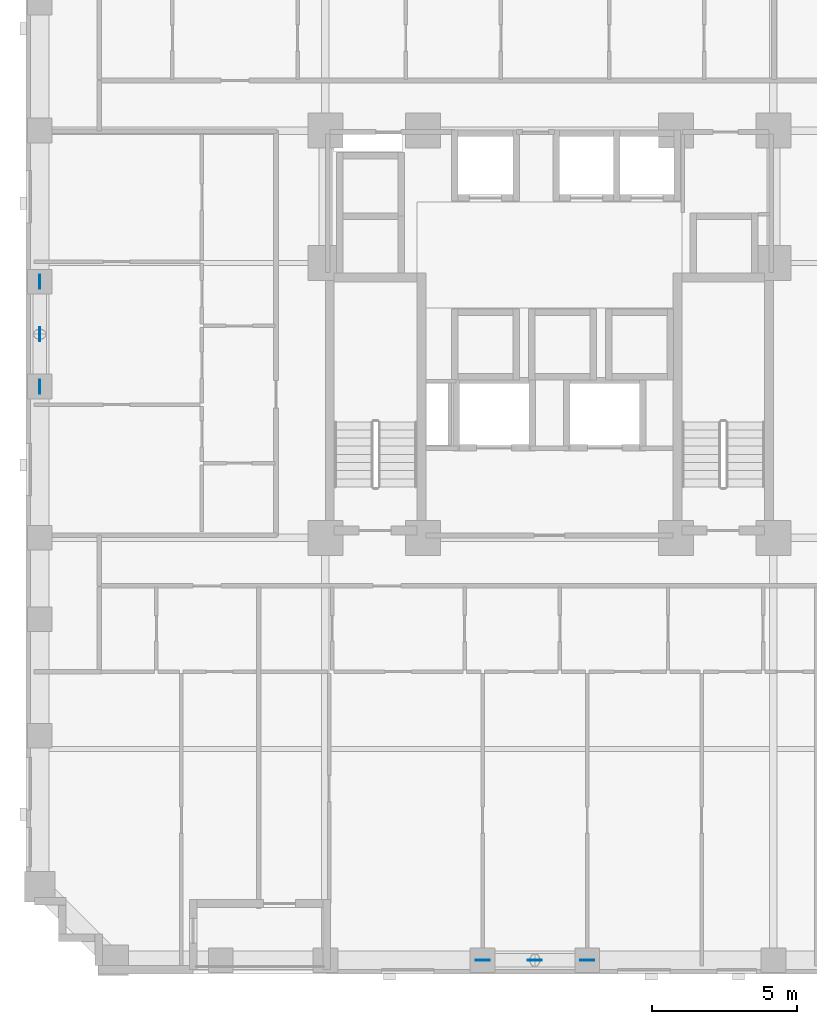
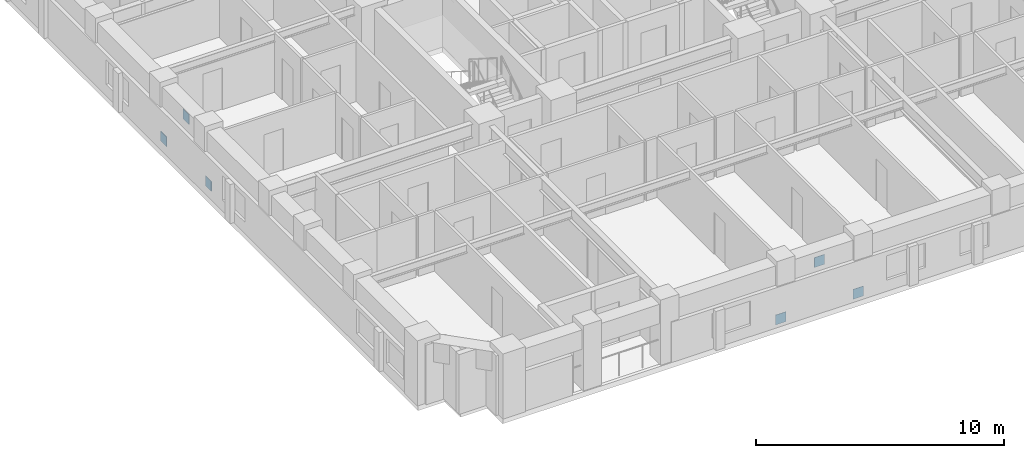
# One storey, part 10 of 14: 6 discrete accessories.
"""IFC4 building model written with IfcOpenShell, lengths in metres."""

from ifc_helpers import new_model, si_unit, derived_unit, direction, frame, origin, origin_2d, place, context, subcontext, project, spatial, rectangle, extrude, material, layer, layer_set, type_object, element, save


model = new_model("IFC4")

# Units and contexts
model_context = context("Model", 3, precision=1e-05, world=origin(), true_north=direction((0.0, 1.0)))
body_context = subcontext(model_context, "Body", "Model", "MODEL_VIEW")
ifc_project = project(units=[si_unit("LENGTHUNIT", "METRE"), si_unit("AREAUNIT", "SQUARE_METRE"), si_unit("VOLUMEUNIT", "CUBIC_METRE"), si_unit("PLANEANGLEUNIT", "RADIAN"), si_unit("MASSUNIT", "GRAM", prefix="KILO"), derived_unit("THERMALTRANSMITTANCEUNIT", [(si_unit("MASSUNIT", "GRAM", prefix="KILO"), 1), (si_unit("TIMEUNIT", "SECOND"), -3), (si_unit("THERMODYNAMICTEMPERATUREUNIT", "KELVIN"), -1)])], contexts=[model_context])

# Site, building, storey
site_placement = place(None, origin())
site = spatial("IfcSite", under=ifc_project, at=site_placement, CompositionType="ELEMENT")
building_placement = place(site_placement, origin())
building = spatial("IfcBuilding", under=site, at=building_placement, Name="Korrvale Station Residences", CompositionType="ELEMENT")
storey_placement = place(building_placement, frame((0.0, 0.0, 48.199951171875)))
storey = spatial("IfcBuildingStorey", under=building, at=storey_placement, Name="L12", CompositionType="ELEMENT", Elevation=48.199951171875)

# Discrete accessories
ifc_material = material(Name="Steel S355", Category="steel")
ifc_layer = layer(ifc_material, 0.02490234375, Name="Steel S355")
ifc_layer_set = layer_set([ifc_layer], Name="Steel S355")
discrete_accessory_type = type_object("IfcDiscreteAccessoryType", Name="ACC-GUSSET-25", PredefinedType="BRACKET", material=ifc_layer_set)
for number, where, z_axis, x_axis, name in (
    (1, (23.199951171875, 0.47998046875, -0.219970703125), (0.0, 0.0, 1.0), (1.0, 0.0, 0.0), "L12 S Brace End Gusset Connection A"),
    (2, (26.800048828125, 0.47998046875, -0.219970703125), (0.0, 0.0, 1.0), (1.0, 0.0, 0.0), "L12 S Brace End Gusset Connection B"),
    (3, (25.0, 0.47998046875, 1.969970703125), (0.0, 0.0, 1.0), (1.0, 0.0, 0.0), "L12 S Brace End Gusset Connection M"),
    (4, (7.97998046875, 20.199951171875, -0.219970703125), (0.0, 0.0, 1.0), (0.0, 1.0, 0.0), "L12 W Brace End Gusset Connection A"),
    (5, (7.97998046875, 23.800048828125, -0.219970703125), (0.0, 0.0, 1.0), (0.0, 1.0, 0.0), "L12 W Brace End Gusset Connection B"),
    (6, (7.97998046875, 22.0, 1.969970703125), (0.0, 0.0, 1.0), (0.0, 1.0, 0.0), "L12 W Brace End Gusset Connection M"),
):
    element("IfcDiscreteAccessory", number, at=place(storey_placement, frame(where, z_axis=z_axis, x_axis=x_axis)), inside=storey, type_object=discrete_accessory_type, Name=name, PredefinedType="BRACKET", context=body_context, shape_type="SweptSolid", body=[
        extrude(rectangle(XDim=0.47998046875, YDim=0.02490234375, at=origin_2d()), origin(), (0.0, 0.0, 1.0), 0.47998046875),
    ])

save(model, "model.ifc")
